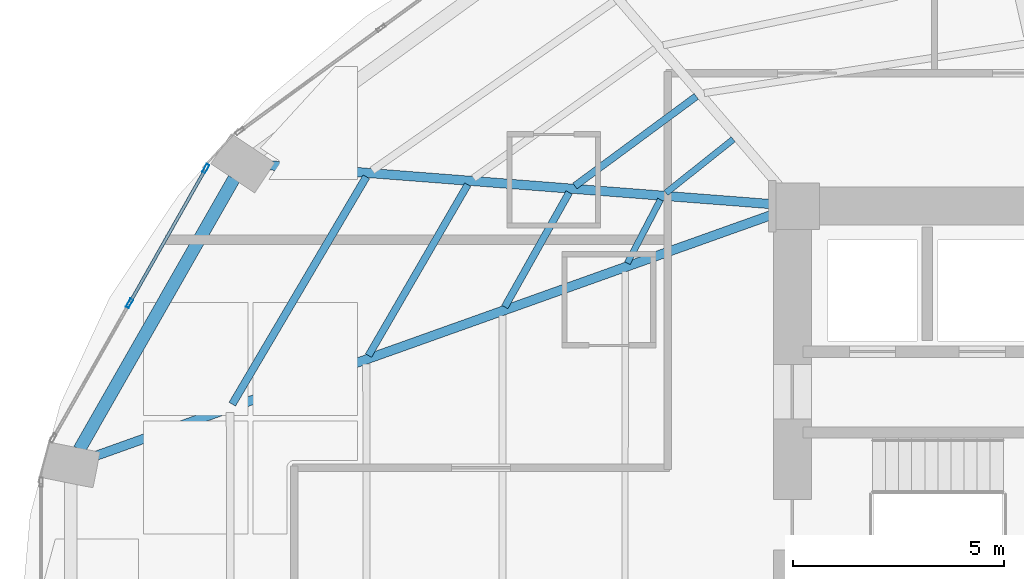
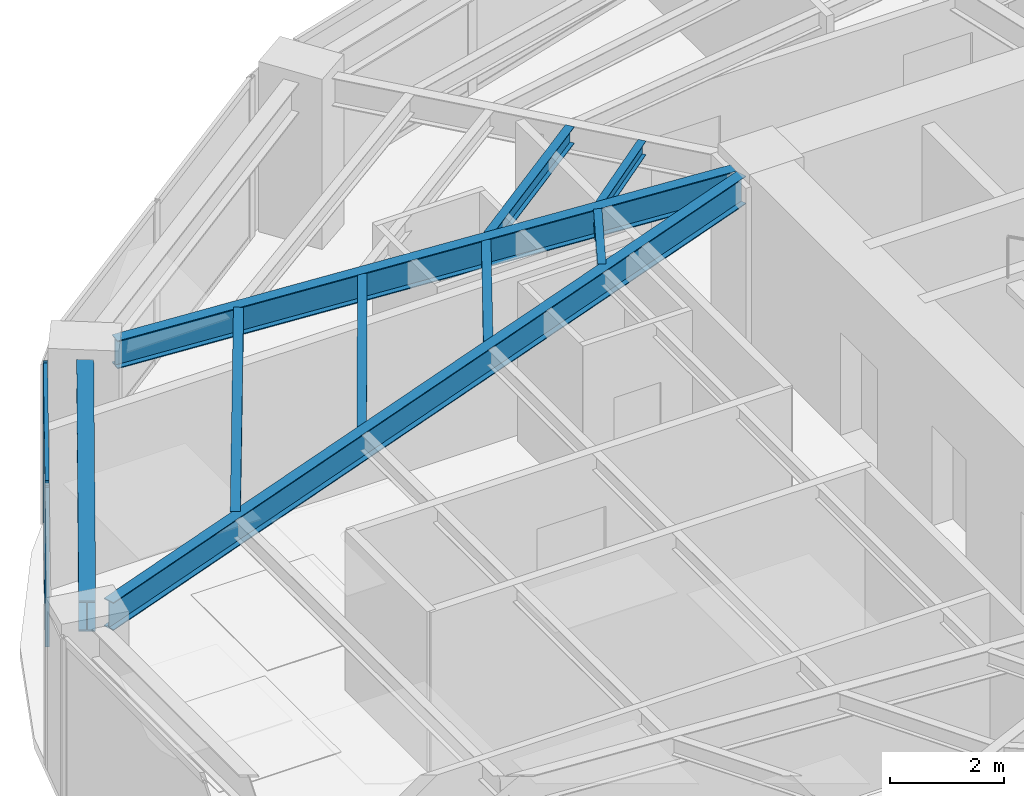
# One storey, part 8 of 25: 9 beams, 4 members, 1 element without a shape of its own.
"""IFC4 building model written with IfcOpenShell, lengths in metres."""

from ifc_helpers import new_model, si_unit, direction, frame, origin, origin_2d, place, context, subcontext, project, spatial, hollow_rectangle, i_section, extrude, material, layer, layer_set, material_profile, profile_set, type_object, element, aggregate, save


model = new_model("IFC4")

# Units and contexts
model_context = context("Model", 3, precision=1e-05, world=origin(), true_north=direction((0.0, 1.0)))
body_context = subcontext(model_context, "Body", "Model", "MODEL_VIEW")
ifc_project = project(units=[si_unit("LENGTHUNIT", "METRE"), si_unit("AREAUNIT", "SQUARE_METRE"), si_unit("VOLUMEUNIT", "CUBIC_METRE"), si_unit("PLANEANGLEUNIT", "RADIAN"), si_unit("MASSUNIT", "GRAM", prefix="KILO")], contexts=[model_context])

# Site, building, storey
site_placement = place(None, origin())
site = spatial("IfcSite", under=ifc_project, at=site_placement, CompositionType="ELEMENT")
building_placement = place(site_placement, origin())
building = spatial("IfcBuilding", under=site, at=building_placement, Name="Lazwardi Medical Tower", CompositionType="ELEMENT")
storey_placement = place(building_placement, frame((0.0, 0.0, 32.49609375)))
storey = spatial("IfcBuildingStorey", under=building, at=storey_placement, Name="L07", CompositionType="ELEMENT", Elevation=32.49609375)

# Beams
ifc_material_1 = material(Name="Steel S355", Category="steel")
ifc_material_profile_1 = material_profile(ifc_material_1, i_section(OverallWidth=0.300048828125, OverallDepth=0.64990234375, WebThickness=0.01611328125, FlangeThickness=0.031005859375, at=origin_2d()), Name="HEB 650")
ifc_profile_set_1 = profile_set([ifc_material_profile_1], Name="Steel S355")
beam_type_1 = type_object("IfcBeamType", Name="BM-RB-Z1", PredefinedType="BEAM", material=ifc_profile_set_1)
beam_1_placement = place(storey_placement, frame((13.072021484375, 36.24951171875, 3.10302734375), z_axis=(-0.495829348644, -0.868419977328, 0.0), x_axis=(0.868419977328, -0.495829348644, 0.0)))
element("IfcBeam", 1, at=beam_1_placement, inside=storey, type_object=beam_type_1, Name="Ring beam RB-02 B11 L07", PredefinedType="BEAM", context=body_context, shape_type="SweptSolid", body=[
    extrude(i_section(OverallWidth=0.300048828125, OverallDepth=0.64990234375, WebThickness=0.01611328125, FlangeThickness=0.031005859375, at=origin_2d()), origin(), (0.0, 0.0, 1.0), 7.38916015625),
])
ifc_material_profile_2 = material_profile(ifc_material_1, i_section(OverallWidth=0.219970703125, OverallDepth=0.60009765625, WebThickness=0.011962890625, FlangeThickness=0.01904296875, at=origin_2d()), Name="IPE 600")
ifc_profile_set_2 = profile_set([ifc_material_profile_2], Name="Steel S355")
beam_type_2 = type_object("IfcBeamType", Name="BM-RG-W1", PredefinedType="BEAM", material=ifc_profile_set_2)
beam_2_placement = place(storey_placement, frame((13.8583984375, 36.569580078125, 3.1279296875), z_axis=(0.997024241118, -0.077088667283, 0.0), x_axis=(0.077088667283, 0.997024241118, 0.0)))
element("IfcBeam", 2, at=beam_2_placement, inside=storey, type_object=beam_type_2, Name="Radial girder RG-02 R11 L07", PredefinedType="BEAM", context=body_context, shape_type="SweptSolid", body=[
    extrude(i_section(OverallWidth=0.219970703125, OverallDepth=0.60009765625, WebThickness=0.011962890625, FlangeThickness=0.01904296875, at=origin_2d()), origin(), (0.0, 0.0, 1.0), 12.044189453125),
])
beam_3_placement = place(storey_placement, frame((9.746337890625, 29.66259765625, 3.1279296875), z_axis=(0.941925080425, 0.335823082688, 0.0), x_axis=(-0.335823082688, 0.941925080425, 0.0)))
element("IfcBeam", 3, at=beam_3_placement, inside=storey, type_object=beam_type_2, Name="Radial girder RG-02 R12 L07", PredefinedType="BEAM", context=body_context, shape_type="SweptSolid", body=[
    extrude(i_section(OverallWidth=0.219970703125, OverallDepth=0.60009765625, WebThickness=0.011962890625, FlangeThickness=0.01904296875, at=origin_2d()), origin(), (0.0, 0.0, 1.0), 17.145263671875),
])
ifc_material_profile_3 = material_profile(ifc_material_1, i_section(OverallWidth=0.179931640625, OverallDepth=0.39990234375, WebThickness=0.008544921875, FlangeThickness=0.013427734375, at=origin_2d()), Name="IPE 400")
ifc_profile_set_3 = profile_set([ifc_material_profile_3], Name="Steel S355")
beam_type_3 = type_object("IfcBeamType", Name="BM-SJ-01", PredefinedType="JOIST", material=ifc_profile_set_3)
beam_4_placement = place(storey_placement, frame((16.206787109375, 36.29345703125, 3.22802734375), z_axis=(-0.507886270937, -0.861424132349, 0.0), x_axis=(0.861424132349, -0.507886270937, 0.0)))
element("IfcBeam", 4, at=beam_4_placement, inside=storey, type_object=beam_type_3, Name="Secondary joist SJ-01 R1 B11 L07", PredefinedType="JOIST", context=body_context, shape_type="SweptSolid", body=[
    extrude(i_section(OverallWidth=0.179931640625, OverallDepth=0.39990234375, WebThickness=0.008544921875, FlangeThickness=0.013427734375, at=origin_2d()), origin(), (0.0, 0.0, 1.0), 6.255859375),
])
ifc_material_profile_4 = material_profile(ifc_material_1, i_section(OverallWidth=0.169921875, OverallDepth=0.360107421875, WebThickness=0.008056640625, FlangeThickness=0.0126953125, at=origin_2d()), Name="IPE 360")
ifc_profile_set_4 = profile_set([ifc_material_profile_4], Name="Steel S355")
beam_type_4 = type_object("IfcBeamType", Name="BM-SJ-02", PredefinedType="JOIST", material=ifc_profile_set_4)
beam_5_placement = place(storey_placement, frame((18.60888671875, 36.107421875, 3.247802734375), z_axis=(-0.501798442848, -0.86498457949, 0.0), x_axis=(0.86498457949, -0.501798442848, 0.0)))
element("IfcBeam", 5, at=beam_5_placement, inside=storey, type_object=beam_type_4, Name="Secondary joist SJ-02 R2 B11 L07", PredefinedType="JOIST", context=body_context, shape_type="SweptSolid", body=[
    extrude(i_section(OverallWidth=0.169921875, OverallDepth=0.360107421875, WebThickness=0.008056640625, FlangeThickness=0.0126953125, at=origin_2d()), origin(), (0.0, 0.0, 1.0), 4.683349609375),
])
beam_6_placement = place(storey_placement, frame((24.025146484375, 38.19873046875, 3.247802734375), z_axis=(-0.804580292353, -0.593843879448, 0.0), x_axis=(0.593843879448, -0.804580292353, 0.0)))
element("IfcBeam", 6, at=beam_6_placement, inside=storey, type_object=beam_type_4, Name="Secondary joist SJ-02 R3 B10 L07", PredefinedType="JOIST", context=body_context, shape_type="SweptSolid", body=[
    extrude(i_section(OverallWidth=0.169921875, OverallDepth=0.360107421875, WebThickness=0.008056640625, FlangeThickness=0.0126953125, at=origin_2d()), origin(), (0.0, 0.0, 1.0), 3.576416015625),
])
beam_7_placement = place(storey_placement, frame((21.011962890625, 35.9208984375, 3.247802734375), z_axis=(-0.489974339037, -0.87173685656, 0.0), x_axis=(0.87173685656, -0.489974339037, 0.0)))
element("IfcBeam", 7, at=beam_7_placement, inside=storey, type_object=beam_type_4, Name="Secondary joist SJ-02 R3 B11 L07", PredefinedType="JOIST", context=body_context, shape_type="SweptSolid", body=[
    extrude(i_section(OverallWidth=0.169921875, OverallDepth=0.360107421875, WebThickness=0.008056640625, FlangeThickness=0.0126953125, at=origin_2d()), origin(), (0.0, 0.0, 1.0), 3.111328125),
])
ifc_material_profile_5 = material_profile(ifc_material_1, i_section(OverallWidth=0.14990234375, OverallDepth=0.300048828125, WebThickness=0.007080078125, FlangeThickness=0.0107421875, at=origin_2d()), Name="IPE 300")
ifc_profile_set_5 = profile_set([ifc_material_profile_5], Name="Steel S355")
beam_type_5 = type_object("IfcBeamType", Name="BM-SJ-03", PredefinedType="JOIST", material=ifc_profile_set_5)
beam_8_placement = place(storey_placement, frame((24.901123046875, 37.1806640625, 3.27783203125), z_axis=(-0.782210957226, -0.623013658274, 0.0), x_axis=(0.623013658274, -0.782210957226, 0.0)))
element("IfcBeam", 8, at=beam_8_placement, inside=storey, type_object=beam_type_5, Name="Secondary joist SJ-03 R4 B10 L07", PredefinedType="JOIST", context=body_context, shape_type="SweptSolid", body=[
    extrude(i_section(OverallWidth=0.14990234375, OverallDepth=0.300048828125, WebThickness=0.007080078125, FlangeThickness=0.0107421875, at=origin_2d()), origin(), (0.0, 0.0, 1.0), 2.0380859375),
])
beam_9_placement = place(storey_placement, frame((23.17626953125, 35.752197265625, 3.27783203125), z_axis=(-0.462162985948, -0.88679500135, 0.0), x_axis=(0.88679500135, -0.462162985948, 0.0)))
element("IfcBeam", 9, at=beam_9_placement, inside=storey, type_object=beam_type_5, Name="Secondary joist SJ-03 R4 B11 L07", PredefinedType="JOIST", context=body_context, shape_type="SweptSolid", body=[
    extrude(i_section(OverallWidth=0.14990234375, OverallDepth=0.300048828125, WebThickness=0.007080078125, FlangeThickness=0.0107421875, at=origin_2d()), origin(), (0.0, 0.0, 1.0), 1.69775390625),
])

# Curtain wall, members
ifc_material_2 = material(Name="Anodised bronze aluminium and solar control glazing", Category="aluminium")
ifc_layer = layer(ifc_material_2, 0.199951171875)
ifc_layer_set = layer_set([ifc_layer], Name="Anodised bronze aluminium and solar control glazing")
curtain_wall_type = type_object("IfcCurtainWallType", Name="CW-SYS-02", PredefinedType="NOTDEFINED", material=ifc_layer_set)
curtain_wall_placement = place(storey_placement, origin())
curtain_wall = element("IfcCurtainWall", 10, at=curtain_wall_placement, inside=storey, type_object=curtain_wall_type, Name="L07 Unitised bronze curtain wall CW-02", PredefinedType="NOTDEFINED")
ifc_material_3 = material(Name="Anodised bronze aluminium", Category="aluminium")
ifc_material_profile_6 = material_profile(ifc_material_3, hollow_rectangle(XDim=0.074951171875, YDim=0.219970703125, WallThickness=0.00390625, at=origin_2d()), Name="ALU-MULLION 220x75x4")
ifc_profile_set_6 = profile_set([ifc_material_profile_6], Name="Anodised bronze aluminium")
member_type_1 = type_object("IfcMemberType", Name="CW-MUL-01", PredefinedType="MULLION", material=ifc_profile_set_6)
member_1_placement = place(storey_placement, frame((12.4033203125, 36.488525390625, 0.0), z_axis=(0.0, 0.0, 1.0), x_axis=(0.870111838823, -0.492854327303, 0.0)))
member_1 = element("IfcMember", 11, at=member_1_placement, type_object=member_type_1, Name="CW-02 mullion 1", PredefinedType="MULLION", context=body_context, shape_type="SweptSolid", body=[
    extrude(hollow_rectangle(XDim=0.074951171875, YDim=0.219970703125, WallThickness=0.00390625, at=origin_2d()), origin(), (0.0, 0.0, 1.0), 3.427978515625),
])
member_2_placement = place(storey_placement, frame((10.5947265625, 33.29541015625, 0.0), z_axis=(0.0, 0.0, 1.0), x_axis=(0.870111838823, -0.492854327303, 0.0)))
member_2 = element("IfcMember", 12, at=member_2_placement, type_object=member_type_1, Name="CW-02 mullion 2", PredefinedType="MULLION", context=body_context, shape_type="SweptSolid", body=[
    extrude(hollow_rectangle(XDim=0.074951171875, YDim=0.219970703125, WallThickness=0.00390625, at=origin_2d()), origin(), (0.0, 0.0, 1.0), 3.427978515625),
])
ifc_material_profile_7 = material_profile(ifc_material_3, hollow_rectangle(XDim=0.074951171875, YDim=0.159912109375, WallThickness=0.00390625, at=origin_2d()), Name="ALU-TRANSOM 160x75x4")
ifc_profile_set_7 = profile_set([ifc_material_profile_7], Name="Anodised bronze aluminium")
member_type_2 = type_object("IfcMemberType", Name="CW-TRN-01", PredefinedType="USERDEFINED", material=ifc_profile_set_7)
member_3_placement = place(storey_placement, frame((12.384765625, 36.4560546875, 0.037353515625), z_axis=(-0.49285148925, -0.870113446365, 0.0), x_axis=(0.870113446365, -0.49285148925, 0.0)))
member_3 = element("IfcMember", 13, at=member_3_placement, type_object=member_type_2, Name="CW-02 transom 1.1", ObjectType="TRANSOM", PredefinedType="USERDEFINED", context=body_context, shape_type="SweptSolid", body=[
    extrude(hollow_rectangle(XDim=0.074951171875, YDim=0.159912109375, WallThickness=0.00390625, at=origin_2d()), origin(), (0.0, 0.0, 1.0), 3.594970703125),
])
member_4_placement = place(storey_placement, frame((12.384765625, 36.4560546875, 3.390380859375), z_axis=(-0.49285148925, -0.870113446365, 0.0), x_axis=(0.870113446365, -0.49285148925, 0.0)))
member_4 = element("IfcMember", 14, at=member_4_placement, type_object=member_type_2, Name="CW-02 transom 1.2", ObjectType="TRANSOM", PredefinedType="USERDEFINED", context=body_context, shape_type="SweptSolid", body=[
    extrude(hollow_rectangle(XDim=0.074951171875, YDim=0.159912109375, WallThickness=0.00390625, at=origin_2d()), origin(), (0.0, 0.0, 1.0), 3.594970703125),
])
aggregate(curtain_wall, [member_1, member_2, member_3, member_4])

save(model, "model.ifc")
